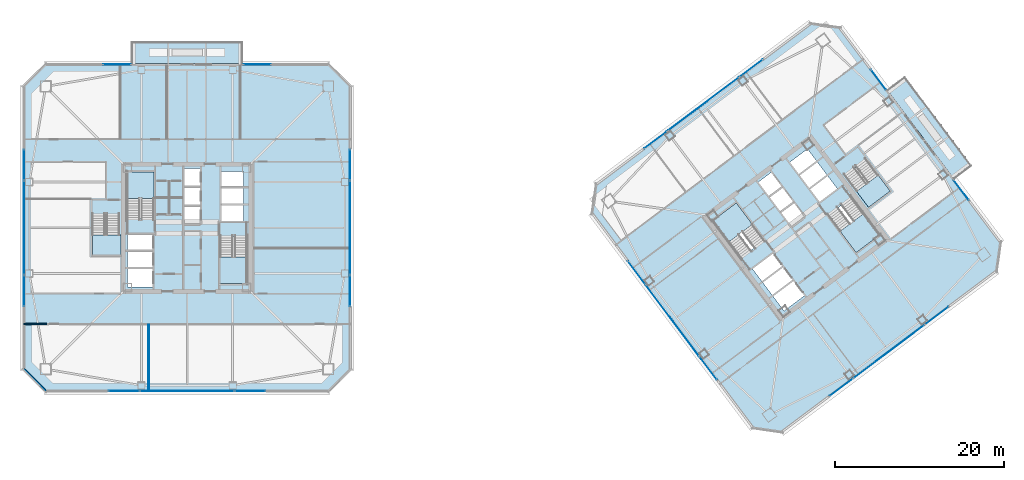
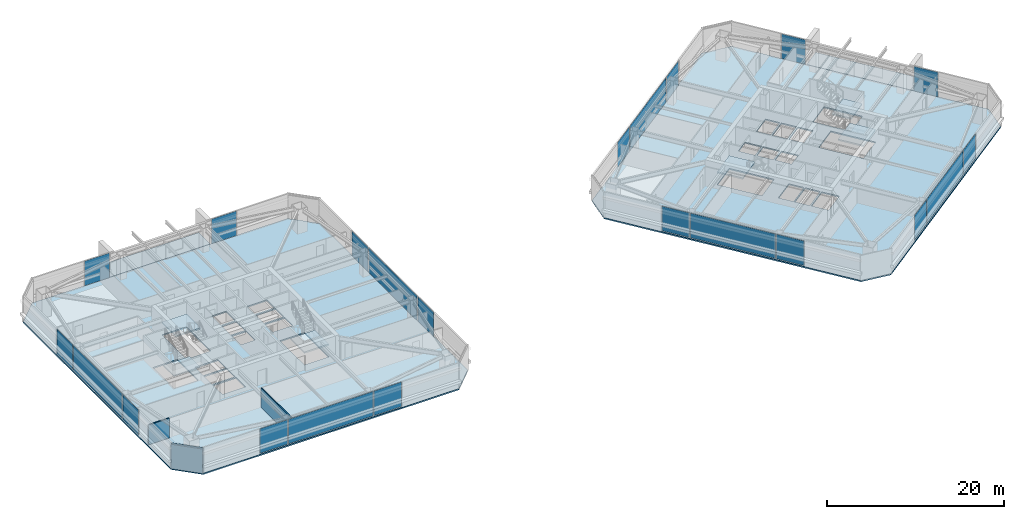
# One storey, part 29 of 41: 22 plates, 10 slabs, 3 walls, 28 elements without a shape of their own.
"""IFC4 building model written with IfcOpenShell, lengths in metres."""

from ifc_helpers import new_model, si_unit, direction, frame, frame_2d, origin, origin_2d, place, context, subcontext, project, spatial, polyline, rectangle, outline, extrude, material, layer, layer_set, type_object, element, aggregate, save


model = new_model("IFC4")

# Units and contexts
model_context = context("Model", 3, precision=1e-05, world=origin(), true_north=direction((0.0, 1.0)))
body_context = subcontext(model_context, "Body", "Model", "MODEL_VIEW")
ifc_project = project(units=[si_unit("LENGTHUNIT", "METRE"), si_unit("AREAUNIT", "SQUARE_METRE"), si_unit("VOLUMEUNIT", "CUBIC_METRE"), si_unit("PLANEANGLEUNIT", "RADIAN"), si_unit("MASSUNIT", "GRAM", prefix="KILO")], contexts=[model_context])

# Site, building, storey
site_placement = place(None, origin())
site = spatial("IfcSite", under=ifc_project, at=site_placement, CompositionType="ELEMENT")
building_placement = place(site_placement, origin())
building = spatial("IfcBuilding", under=site, at=building_placement, Name="Tashvorn Skyway Center", CompositionType="ELEMENT")
storey_placement = place(building_placement, frame((0.0, 0.0, 146.35009765625)))
storey = spatial("IfcBuildingStorey", under=building, at=storey_placement, Name="L39", CompositionType="ELEMENT", Elevation=146.35009765625)

# Curtain wall, plate
ifc_material_1 = material(Name="Thermally broken bronze-anodized aluminium 6063-T6", Category="aluminium")
curtain_wall_type = type_object("IfcCurtainWallType", Name="CW-CW-Z3", PredefinedType="NOTDEFINED", material=ifc_material_1)
curtain_wall_1_placement = place(storey_placement, origin())
curtain_wall_1 = element("IfcCurtainWall", 1, at=curtain_wall_1_placement, inside=storey, type_object=curtain_wall_type, Name="Tower 1 L39 South Unitised Curtain Wall Glazing Group 1", PredefinedType="NOTDEFINED")
ifc_material_2 = material(Name="Low-E solar-control double insulating safety glass", Category="glass")
ifc_layer_1 = layer(ifc_material_2, 0.0400390625)
ifc_layer_set_1 = layer_set([ifc_layer_1], Name="Low-E solar-control double insulating safety glass")
plate_type = type_object("IfcPlateType", Name="CWP-CW-Z3", PredefinedType="CURTAIN_PANEL", material=ifc_layer_set_1)
plate_1_placement = place(storey_placement, frame((49.457763671875, 12.719970703125, 0.074951171875), z_axis=(0.0, 0.0, 1.0), x_axis=(-1.0, 0.0, 0.0)))
plate_1 = element("IfcPlate", 2, at=plate_1_placement, type_object=plate_type, Name="CW-Z3 panel 1.1", PredefinedType="CURTAIN_PANEL", context=body_context, shape_type="SweptSolid", body=[
    extrude(rectangle(XDim=3.578857421875, YDim=0.0400390625, at=origin_2d()), origin(), (0.0, 0.0, 1.0), 3.39990234375),
])
aggregate(curtain_wall_1, [plate_1])

curtain_wall_2_placement = place(storey_placement, origin())
curtain_wall_2 = element("IfcCurtainWall", 3, at=curtain_wall_2_placement, inside=storey, type_object=curtain_wall_type, Name="Tower 1 L39 South Unitised Curtain Wall Glazing Group 2", PredefinedType="NOTDEFINED")
plate_2_placement = place(storey_placement, frame((42.0, 12.719970703125, 0.074951171875), z_axis=(0.0, 0.0, 1.0), x_axis=(-1.0, 0.0, 0.0)))
plate_2 = element("IfcPlate", 4, at=plate_2_placement, type_object=plate_type, Name="CW-Z3 panel 1.1", PredefinedType="CURTAIN_PANEL", context=body_context, shape_type="SweptSolid", body=[
    extrude(rectangle(XDim=11.03662109375, YDim=0.0400390625, at=origin_2d()), origin(), (0.0, 0.0, 1.0), 3.39990234375),
])
aggregate(curtain_wall_2, [plate_2])

curtain_wall_3_placement = place(storey_placement, origin())
curtain_wall_3 = element("IfcCurtainWall", 5, at=curtain_wall_3_placement, inside=storey, type_object=curtain_wall_type, Name="Tower 1 L39 South Unitised Curtain Wall Glazing Group 3", PredefinedType="NOTDEFINED")
plate_3_placement = place(storey_placement, frame((34.542236328125, 12.719970703125, 0.074951171875), z_axis=(0.0, 0.0, 1.0), x_axis=(-1.0, 0.0, 0.0)))
plate_3 = element("IfcPlate", 6, at=plate_3_placement, type_object=plate_type, Name="CW-Z3 panel 1.1", PredefinedType="CURTAIN_PANEL", context=body_context, shape_type="SweptSolid", body=[
    extrude(rectangle(XDim=3.578857421875, YDim=0.0400390625, at=origin_2d()), origin(), (0.0, 0.0, 1.0), 3.39990234375),
])
aggregate(curtain_wall_3, [plate_3])

curtain_wall_4_placement = place(storey_placement, origin())
curtain_wall_4 = element("IfcCurtainWall", 7, at=curtain_wall_4_placement, inside=storey, type_object=curtain_wall_type, Name="Tower 1 L39 West Unitised Curtain Wall Glazing Group 1", PredefinedType="NOTDEFINED")
plate_4_placement = place(storey_placement, frame((22.719970703125, 24.542236328125, 0.074951171875), z_axis=(0.0, 0.0, 1.0), x_axis=(0.0, 1.0, 0.0)))
plate_4 = element("IfcPlate", 8, at=plate_4_placement, type_object=plate_type, Name="CW-Z3 panel 1.1", PredefinedType="CURTAIN_PANEL", context=body_context, shape_type="SweptSolid", body=[
    extrude(rectangle(XDim=3.578857421875, YDim=0.0400390625, at=origin_2d()), origin(), (0.0, 0.0, 1.0), 3.39990234375),
])
aggregate(curtain_wall_4, [plate_4])

curtain_wall_5_placement = place(storey_placement, origin())
curtain_wall_5 = element("IfcCurtainWall", 9, at=curtain_wall_5_placement, inside=storey, type_object=curtain_wall_type, Name="Tower 1 L39 West Unitised Curtain Wall Glazing Group 2", PredefinedType="NOTDEFINED")
plate_5_placement = place(storey_placement, frame((22.719970703125, 32.0, 0.074951171875), z_axis=(0.0, 0.0, 1.0), x_axis=(0.0, 1.0, 0.0)))
plate_5 = element("IfcPlate", 10, at=plate_5_placement, type_object=plate_type, Name="CW-Z3 panel 1.1", PredefinedType="CURTAIN_PANEL", context=body_context, shape_type="SweptSolid", body=[
    extrude(rectangle(XDim=11.03662109375, YDim=0.0400390625, at=origin_2d()), origin(), (0.0, 0.0, 1.0), 3.39990234375),
])
aggregate(curtain_wall_5, [plate_5])

curtain_wall_6_placement = place(storey_placement, origin())
curtain_wall_6 = element("IfcCurtainWall", 11, at=curtain_wall_6_placement, inside=storey, type_object=curtain_wall_type, Name="Tower 1 L39 West Unitised Curtain Wall Glazing Group 3", PredefinedType="NOTDEFINED")
plate_6_placement = place(storey_placement, frame((22.719970703125, 39.457763671875, 0.074951171875), z_axis=(0.0, 0.0, 1.0), x_axis=(0.0, 1.0, 0.0)))
plate_6 = element("IfcPlate", 12, at=plate_6_placement, type_object=plate_type, Name="CW-Z3 panel 1.1", PredefinedType="CURTAIN_PANEL", context=body_context, shape_type="SweptSolid", body=[
    extrude(rectangle(XDim=3.578857421875, YDim=0.0400390625, at=origin_2d()), origin(), (0.0, 0.0, 1.0), 3.39990234375),
])
aggregate(curtain_wall_6, [plate_6])

curtain_wall_7_placement = place(storey_placement, origin())
curtain_wall_7 = element("IfcCurtainWall", 13, at=curtain_wall_7_placement, inside=storey, type_object=curtain_wall_type, Name="Tower 1 L39 North Curtain Wall L Glazing Group 1", PredefinedType="NOTDEFINED")
plate_7_placement = place(storey_placement, frame((33.703369140625, 51.280029296875, 0.074951171875), z_axis=(0.0, 0.0, 1.0), x_axis=(1.0, 0.0, 0.0)))
plate_7 = element("IfcPlate", 14, at=plate_7_placement, type_object=plate_type, Name="CW-Z3 panel 1.1", PredefinedType="CURTAIN_PANEL", context=body_context, shape_type="SweptSolid", body=[
    extrude(rectangle(XDim=3.243408203125, YDim=0.0400390625, at=origin_2d()), origin(), (0.0, 0.0, 1.0), 3.39990234375),
])
aggregate(curtain_wall_7, [plate_7])

curtain_wall_8_placement = place(storey_placement, origin())
curtain_wall_8 = element("IfcCurtainWall", 15, at=curtain_wall_8_placement, inside=storey, type_object=curtain_wall_type, Name="Tower 1 L39 North Curtain Wall R Glazing Group 1", PredefinedType="NOTDEFINED")
plate_8_placement = place(storey_placement, frame((50.296630859375, 51.280029296875, 0.074951171875), z_axis=(0.0, 0.0, 1.0), x_axis=(1.0, 0.0, 0.0)))
plate_8 = element("IfcPlate", 16, at=plate_8_placement, type_object=plate_type, Name="CW-Z3 panel 1.1", PredefinedType="CURTAIN_PANEL", context=body_context, shape_type="SweptSolid", body=[
    extrude(rectangle(XDim=3.243408203125, YDim=0.0400390625, at=origin_2d()), origin(), (0.0, 0.0, 1.0), 3.39990234375),
])
aggregate(curtain_wall_8, [plate_8])

curtain_wall_9_placement = place(storey_placement, origin())
curtain_wall_9 = element("IfcCurtainWall", 17, at=curtain_wall_9_placement, inside=storey, type_object=curtain_wall_type, Name="Tower 1 L39 East Unitised Curtain Wall Glazing Group 1", PredefinedType="NOTDEFINED")
plate_9_placement = place(storey_placement, frame((61.280029296875, 39.457763671875, 0.074951171875), z_axis=(0.0, 0.0, 1.0), x_axis=(0.0, -1.0, 0.0)))
plate_9 = element("IfcPlate", 18, at=plate_9_placement, type_object=plate_type, Name="CW-Z3 panel 1.1", PredefinedType="CURTAIN_PANEL", context=body_context, shape_type="SweptSolid", body=[
    extrude(rectangle(XDim=3.578857421875, YDim=0.0400390625, at=origin_2d()), origin(), (0.0, 0.0, 1.0), 3.39990234375),
])
aggregate(curtain_wall_9, [plate_9])

curtain_wall_10_placement = place(storey_placement, origin())
curtain_wall_10 = element("IfcCurtainWall", 19, at=curtain_wall_10_placement, inside=storey, type_object=curtain_wall_type, Name="Tower 1 L39 East Unitised Curtain Wall Glazing Group 2", PredefinedType="NOTDEFINED")
plate_10_placement = place(storey_placement, frame((61.280029296875, 32.0, 0.074951171875), z_axis=(0.0, 0.0, 1.0), x_axis=(0.0, -1.0, 0.0)))
plate_10 = element("IfcPlate", 20, at=plate_10_placement, type_object=plate_type, Name="CW-Z3 panel 1.1", PredefinedType="CURTAIN_PANEL", context=body_context, shape_type="SweptSolid", body=[
    extrude(rectangle(XDim=11.03662109375, YDim=0.0400390625, at=origin_2d()), origin(), (0.0, 0.0, 1.0), 3.39990234375),
])
aggregate(curtain_wall_10, [plate_10])

curtain_wall_11_placement = place(storey_placement, origin())
curtain_wall_11 = element("IfcCurtainWall", 21, at=curtain_wall_11_placement, inside=storey, type_object=curtain_wall_type, Name="Tower 1 L39 East Unitised Curtain Wall Glazing Group 3", PredefinedType="NOTDEFINED")
plate_11_placement = place(storey_placement, frame((61.280029296875, 24.542236328125, 0.074951171875), z_axis=(0.0, 0.0, 1.0), x_axis=(0.0, -1.0, 0.0)))
plate_11 = element("IfcPlate", 22, at=plate_11_placement, type_object=plate_type, Name="CW-Z3 panel 1.1", PredefinedType="CURTAIN_PANEL", context=body_context, shape_type="SweptSolid", body=[
    extrude(rectangle(XDim=3.578857421875, YDim=0.0400390625, at=origin_2d()), origin(), (0.0, 0.0, 1.0), 3.39990234375),
])
aggregate(curtain_wall_11, [plate_11])

curtain_wall_12_placement = place(storey_placement, origin())
curtain_wall_12 = element("IfcCurtainWall", 23, at=curtain_wall_12_placement, inside=storey, type_object=curtain_wall_type, Name="Tower 2 L39 South Unitised Curtain Wall Glazing Group 1", PredefinedType="NOTDEFINED")
plate_12_placement = place(storey_placement, frame((130.6142578125, 21.610595703125, 0.074951171875), z_axis=(0.0, 0.0, 1.0), x_axis=(-0.800003400519, -0.599995465948, 0.0)))
plate_12 = element("IfcPlate", 24, at=plate_12_placement, type_object=plate_type, Name="CW-Z3 panel 1.1", PredefinedType="CURTAIN_PANEL", context=body_context, shape_type="SweptSolid", body=[
    extrude(rectangle(XDim=3.37890625, YDim=0.0400390625, at=origin_2d()), origin(), (0.0, 0.0, 1.0), 3.39990234375),
])
aggregate(curtain_wall_12, [plate_12])

curtain_wall_13_placement = place(storey_placement, origin())
curtain_wall_13 = element("IfcCurtainWall", 25, at=curtain_wall_13_placement, inside=storey, type_object=curtain_wall_type, Name="Tower 2 L39 South Unitised Curtain Wall Glazing Group 2", PredefinedType="NOTDEFINED")
plate_13_placement = place(storey_placement, frame((124.968017578125, 17.3759765625, 0.074951171875), z_axis=(0.0, 0.0, 1.0), x_axis=(-0.800002266987, -0.599996977339, 0.0)))
plate_13 = element("IfcPlate", 26, at=plate_13_placement, type_object=plate_type, Name="CW-Z3 panel 1.1", PredefinedType="CURTAIN_PANEL", context=body_context, shape_type="SweptSolid", body=[
    extrude(rectangle(XDim=10.436767578125, YDim=0.0400390625, at=origin_2d()), origin(), (0.0, 0.0, 1.0), 3.39990234375),
])
aggregate(curtain_wall_13, [plate_13])

curtain_wall_14_placement = place(storey_placement, origin())
curtain_wall_14 = element("IfcCurtainWall", 27, at=curtain_wall_14_placement, inside=storey, type_object=curtain_wall_type, Name="Tower 2 L39 South Unitised Curtain Wall Glazing Group 3", PredefinedType="NOTDEFINED")
plate_14_placement = place(storey_placement, frame((119.32177734375, 13.141357421875, 0.074951171875), z_axis=(0.0, 0.0, 1.0), x_axis=(-0.800003400519, -0.599995465948, 0.0)))
plate_14 = element("IfcPlate", 28, at=plate_14_placement, type_object=plate_type, Name="CW-Z3 panel 1.1", PredefinedType="CURTAIN_PANEL", context=body_context, shape_type="SweptSolid", body=[
    extrude(rectangle(XDim=3.37890625, YDim=0.0400390625, at=origin_2d()), origin(), (0.0, 0.0, 1.0), 3.39990234375),
])
aggregate(curtain_wall_14, [plate_14])

curtain_wall_15_placement = place(storey_placement, origin())
curtain_wall_15 = element("IfcCurtainWall", 29, at=curtain_wall_15_placement, inside=storey, type_object=curtain_wall_type, Name="Tower 2 L39 West Unitised Curtain Wall Glazing Group 1", PredefinedType="NOTDEFINED")
plate_15_placement = place(storey_placement, frame((103.610595703125, 15.3857421875, 0.074951171875), z_axis=(0.0, 0.0, 1.0), x_axis=(-0.599995465948, 0.800003400519, 0.0)))
plate_15 = element("IfcPlate", 30, at=plate_15_placement, type_object=plate_type, Name="CW-Z3 panel 1.1", PredefinedType="CURTAIN_PANEL", context=body_context, shape_type="SweptSolid", body=[
    extrude(rectangle(XDim=3.37890625, YDim=0.0400390625, at=origin_2d()), origin(), (0.0, 0.0, 1.0), 3.39990234375),
])
aggregate(curtain_wall_15, [plate_15])

curtain_wall_16_placement = place(storey_placement, origin())
curtain_wall_16 = element("IfcCurtainWall", 31, at=curtain_wall_16_placement, inside=storey, type_object=curtain_wall_type, Name="Tower 2 L39 West Unitised Curtain Wall Glazing Group 2", PredefinedType="NOTDEFINED")
plate_16_placement = place(storey_placement, frame((99.3759765625, 21.031982421875, 0.074951171875), z_axis=(0.0, 0.0, 1.0), x_axis=(-0.599996977339, 0.800002266987, 0.0)))
plate_16 = element("IfcPlate", 32, at=plate_16_placement, type_object=plate_type, Name="CW-Z3 panel 1.1", PredefinedType="CURTAIN_PANEL", context=body_context, shape_type="SweptSolid", body=[
    extrude(rectangle(XDim=10.436767578125, YDim=0.0400390625, at=origin_2d()), origin(), (0.0, 0.0, 1.0), 3.39990234375),
])
aggregate(curtain_wall_16, [plate_16])

curtain_wall_17_placement = place(storey_placement, origin())
curtain_wall_17 = element("IfcCurtainWall", 33, at=curtain_wall_17_placement, inside=storey, type_object=curtain_wall_type, Name="Tower 2 L39 West Unitised Curtain Wall Glazing Group 3", PredefinedType="NOTDEFINED")
plate_17_placement = place(storey_placement, frame((95.141357421875, 26.67822265625, 0.074951171875), z_axis=(0.0, 0.0, 1.0), x_axis=(-0.599995465948, 0.800003400519, 0.0)))
plate_17 = element("IfcPlate", 34, at=plate_17_placement, type_object=plate_type, Name="CW-Z3 panel 1.1", PredefinedType="CURTAIN_PANEL", context=body_context, shape_type="SweptSolid", body=[
    extrude(rectangle(XDim=3.37890625, YDim=0.0400390625, at=origin_2d()), origin(), (0.0, 0.0, 1.0), 3.39990234375),
])
aggregate(curtain_wall_17, [plate_17])

curtain_wall_18_placement = place(storey_placement, origin())
curtain_wall_18 = element("IfcCurtainWall", 35, at=curtain_wall_18_placement, inside=storey, type_object=curtain_wall_type, Name="Tower 2 L39 North Unitised Curtain Wall Glazing Group 1", PredefinedType="NOTDEFINED")
plate_18_placement = place(storey_placement, frame((97.3857421875, 42.389404296875, 0.074951171875), z_axis=(0.0, 0.0, 1.0), x_axis=(0.800003400519, 0.599995465948, 0.0)))
plate_18 = element("IfcPlate", 36, at=plate_18_placement, type_object=plate_type, Name="CW-Z3 panel 1.1", PredefinedType="CURTAIN_PANEL", context=body_context, shape_type="SweptSolid", body=[
    extrude(rectangle(XDim=3.37890625, YDim=0.0400390625, at=origin_2d()), origin(), (0.0, 0.0, 1.0), 3.39990234375),
])
aggregate(curtain_wall_18, [plate_18])

curtain_wall_19_placement = place(storey_placement, origin())
curtain_wall_19 = element("IfcCurtainWall", 37, at=curtain_wall_19_placement, inside=storey, type_object=curtain_wall_type, Name="Tower 2 L39 North Unitised Curtain Wall Glazing Group 2", PredefinedType="NOTDEFINED")
plate_19_placement = place(storey_placement, frame((103.031982421875, 46.6240234375, 0.074951171875), z_axis=(0.0, 0.0, 1.0), x_axis=(0.800002266987, 0.599996977339, 0.0)))
plate_19 = element("IfcPlate", 38, at=plate_19_placement, type_object=plate_type, Name="CW-Z3 panel 1.1", PredefinedType="CURTAIN_PANEL", context=body_context, shape_type="SweptSolid", body=[
    extrude(rectangle(XDim=10.436767578125, YDim=0.0400390625, at=origin_2d()), origin(), (0.0, 0.0, 1.0), 3.39990234375),
])
aggregate(curtain_wall_19, [plate_19])

curtain_wall_20_placement = place(storey_placement, origin())
curtain_wall_20 = element("IfcCurtainWall", 39, at=curtain_wall_20_placement, inside=storey, type_object=curtain_wall_type, Name="Tower 2 L39 North Unitised Curtain Wall Glazing Group 3", PredefinedType="NOTDEFINED")
plate_20_placement = place(storey_placement, frame((108.67822265625, 50.858642578125, 0.074951171875), z_axis=(0.0, 0.0, 1.0), x_axis=(0.800003400519, 0.599995465948, 0.0)))
plate_20 = element("IfcPlate", 40, at=plate_20_placement, type_object=plate_type, Name="CW-Z3 panel 1.1", PredefinedType="CURTAIN_PANEL", context=body_context, shape_type="SweptSolid", body=[
    extrude(rectangle(XDim=3.37890625, YDim=0.0400390625, at=origin_2d()), origin(), (0.0, 0.0, 1.0), 3.39990234375),
])
aggregate(curtain_wall_20, [plate_20])

curtain_wall_21_placement = place(storey_placement, origin())
curtain_wall_21 = element("IfcCurtainWall", 41, at=curtain_wall_21_placement, inside=storey, type_object=curtain_wall_type, Name="Tower 2 L39 East Curtain Wall L Glazing Group 1", PredefinedType="NOTDEFINED")
plate_21_placement = place(storey_placement, frame((123.736083984375, 49.4853515625, 0.074951171875), z_axis=(0.0, 0.0, 1.0), x_axis=(0.599994827616, -0.800003879262, 0.0)))
plate_21 = element("IfcPlate", 42, at=plate_21_placement, type_object=plate_type, Name="CW-Z3 panel 1.1", PredefinedType="CURTAIN_PANEL", context=body_context, shape_type="SweptSolid", body=[
    extrude(rectangle(XDim=2.943359375, YDim=0.0400390625, at=origin_2d()), origin(), (0.0, 0.0, 1.0), 3.39990234375),
])
aggregate(curtain_wall_21, [plate_21])

curtain_wall_22_placement = place(storey_placement, origin())
curtain_wall_22 = element("IfcCurtainWall", 43, at=curtain_wall_22_placement, inside=storey, type_object=curtain_wall_type, Name="Tower 2 L39 East Curtain Wall R Glazing Group 1", PredefinedType="NOTDEFINED")
plate_22_placement = place(storey_placement, frame((133.511962890625, 36.45068359375, 0.074951171875), z_axis=(0.0, 0.0, 1.0), x_axis=(0.599994827616, -0.800003879262, 0.0)))
plate_22 = element("IfcPlate", 44, at=plate_22_placement, type_object=plate_type, Name="CW-Z3 panel 1.1", PredefinedType="CURTAIN_PANEL", context=body_context, shape_type="SweptSolid", body=[
    extrude(rectangle(XDim=2.943359375, YDim=0.0400390625, at=origin_2d()), origin(), (0.0, 0.0, 1.0), 3.39990234375),
])
aggregate(curtain_wall_22, [plate_22])

# Slabs
ifc_material_3 = material(Name="Concrete C40/50", Category="concrete")
ifc_layer_2 = layer(ifc_material_3, 0.179931640625)
ifc_layer_set_2 = layer_set([ifc_layer_2], Name="Concrete C40/50")
slab_type_1 = type_object("IfcSlabType", Name="SLAB-FLR-180", PredefinedType="FLOOR", material=ifc_layer_set_2)
slab_1_placement = place(storey_placement, frame((0.0, 0.0, -0.18017578125)))
element("IfcSlab", 45, at=slab_1_placement, inside=storey, type_object=slab_type_1, Name="Tower 1 L39 Composite Floor Slab", PredefinedType="FLOOR", context=body_context, shape_type="SweptSolid", body=[
    extrude(outline(polyline([(25.300048828125, 12.60009765625), (58.699951171875, 12.60009765625), (61.39990234375, 15.300048828125), (61.39990234375, 48.699951171875), (58.699951171875, 51.39990234375), (25.300048828125, 51.39990234375), (22.60009765625, 48.699951171875), (22.60009765625, 15.300048828125), (25.300048828125, 12.60009765625)]), holes=[polyline([(38.10009765625, 33.080078125), (38.10009765625, 38.60009765625), (34.89990234375, 38.60009765625), (34.89990234375, 33.080078125), (38.10009765625, 33.080078125)]), polyline([(45.89990234375, 30.919921875), (45.89990234375, 25.39990234375), (49.10009765625, 25.39990234375), (49.10009765625, 30.919921875), (45.89990234375, 30.919921875)]), polyline([(30.800048828125, 33.52001953125), (30.800048828125, 28.800048828125), (34.0, 28.800048828125), (34.0, 33.52001953125), (30.800048828125, 33.52001953125)]), polyline([(34.949951171875, 29.35009765625), (37.949951171875, 29.35009765625), (37.949951171875, 31.199951171875), (34.949951171875, 31.199951171875), (34.949951171875, 29.35009765625)]), polyline([(34.949951171875, 27.35009765625), (37.949951171875, 27.35009765625), (37.949951171875, 29.199951171875), (34.949951171875, 29.199951171875), (34.949951171875, 27.35009765625)]), polyline([(34.949951171875, 25.0), (37.949951171875, 25.0), (37.949951171875, 27.14990234375), (34.949951171875, 27.14990234375), (34.949951171875, 25.0)]), polyline([(41.64990234375, 32.449951171875), (43.550048828125, 32.449951171875), (43.550048828125, 34.5), (41.64990234375, 34.5), (41.64990234375, 32.449951171875)]), polyline([(41.64990234375, 34.699951171875), (43.550048828125, 34.699951171875), (43.550048828125, 36.75), (41.64990234375, 36.75), (41.64990234375, 34.699951171875)]), polyline([(41.64990234375, 36.949951171875), (43.550048828125, 36.949951171875), (43.550048828125, 39.0), (41.64990234375, 39.0), (41.64990234375, 36.949951171875)]), polyline([(46.050048828125, 32.800048828125), (48.64990234375, 32.800048828125), (48.64990234375, 34.64990234375), (46.050048828125, 34.64990234375), (46.050048828125, 32.800048828125)]), polyline([(46.050048828125, 34.85009765625), (48.64990234375, 34.85009765625), (48.64990234375, 36.699951171875), (46.050048828125, 36.699951171875), (46.050048828125, 34.85009765625)]), polyline([(46.050048828125, 36.89990234375), (48.64990234375, 36.89990234375), (48.64990234375, 38.64990234375), (46.050048828125, 38.64990234375), (46.050048828125, 36.89990234375)])]), origin(), (0.0, 0.0, 1.0), 0.18017578125),
])
slab_2_placement = place(storey_placement, frame((0.0, 0.0, -0.18017578125)))
element("IfcSlab", 46, at=slab_2_placement, inside=storey, type_object=slab_type_1, Name="Tower 2 L39 Composite Floor Slab", PredefinedType="FLOOR", context=body_context, shape_type="SweptSolid", body=[
    extrude(outline(polyline([(112.39990234375, 7.800048828125), (137.679931640625, 26.760009765625), (138.199951171875, 30.39990234375), (119.239990234375, 55.679931640625), (115.60009765625, 56.199951171875), (90.320068359375, 37.239990234375), (89.800048828125, 33.60009765625), (108.760009765625, 8.320068359375), (112.39990234375, 7.800048828125)]), holes=[polyline([(110.23193359375, 30.52392578125), (106.919921875, 34.93994140625), (104.135986328125, 32.85205078125), (107.447998046875, 28.43603515625), (110.23193359375, 30.52392578125)]), polyline([(117.76806640625, 33.47607421875), (121.080078125, 29.06005859375), (123.864013671875, 31.14794921875), (120.552001953125, 35.56396484375), (117.76806640625, 33.47607421875)]), polyline([(119.7119140625, 38.18408203125), (122.5439453125, 34.407958984375), (125.10400390625, 36.327880859375), (122.27197265625, 40.10400390625), (119.7119140625, 38.18408203125)]), polyline([(109.949951171875, 25.64990234375), (112.35009765625, 27.449951171875), (111.239990234375, 28.929931640625), (108.840087890625, 27.1298828125), (109.949951171875, 25.64990234375)]), polyline([(111.14990234375, 24.050048828125), (113.550048828125, 25.85009765625), (112.43994140625, 27.330078125), (110.0400390625, 25.530029296875), (111.14990234375, 24.050048828125)]), polyline([(112.56005859375, 22.169921875), (114.9599609375, 23.969970703125), (113.669921875, 25.68994140625), (111.27001953125, 23.889892578125), (112.56005859375, 22.169921875)]), polyline([(113.449951171875, 32.14990234375), (114.969970703125, 33.2900390625), (113.739990234375, 34.929931640625), (112.219970703125, 33.7900390625), (113.449951171875, 32.14990234375)]), polyline([(112.10009765625, 33.949951171875), (113.6201171875, 35.090087890625), (112.389892578125, 36.72998046875), (110.8701171875, 35.590087890625), (112.10009765625, 33.949951171875)]), polyline([(110.75, 35.75), (112.27001953125, 36.889892578125), (111.0400390625, 38.530029296875), (109.52001953125, 37.389892578125), (110.75, 35.75)]), polyline([(116.760009765625, 35.070068359375), (118.840087890625, 36.6298828125), (117.72998046875, 38.110107421875), (115.64990234375, 36.550048828125), (116.760009765625, 35.070068359375)]), polyline([(115.530029296875, 36.7099609375), (117.610107421875, 38.27001953125), (116.5, 39.75), (114.419921875, 38.18994140625), (115.530029296875, 36.7099609375)]), polyline([(114.300048828125, 38.35009765625), (116.3798828125, 39.909912109375), (115.330078125, 41.31005859375), (113.25, 39.75), (114.300048828125, 38.35009765625)])]), origin(), (0.0, 0.0, 1.0), 0.18017578125),
])

# Stair, slab
stair_type = type_object("IfcStairType", Name="STAIR-CORE-1500", PredefinedType="HALF_TURN_STAIR", material=ifc_material_3)
stair_1_placement = place(storey_placement, origin())
stair_1 = element("IfcStair", 47, at=stair_1_placement, inside=storey, type_object=stair_type, Name="L39 Tower 1 Exit Stair 1", PredefinedType="HALF_TURN_STAIR")
ifc_layer_3 = layer(ifc_material_3, 0.199951171875)
ifc_layer_set_3 = layer_set([ifc_layer_3], Name="Concrete C40/50")
slab_type_2 = type_object("IfcSlabType", Name="SLAB-LAND-200", PredefinedType="LANDING", material=ifc_layer_set_3)
slab_3_placement = place(storey_placement, frame((0.0, 0.0, 1.574951171875)))
slab_3 = element("IfcSlab", 48, at=slab_3_placement, type_object=slab_type_2, Name="ST-T1-1 landing 1", PredefinedType="LANDING", context=body_context, shape_type="SweptSolid", body=[
    extrude(outline(polyline([(38.10009765625, 35.43994140625), (38.10009765625, 38.60009765625), (34.89990234375, 38.60009765625), (34.89990234375, 35.43994140625), (38.10009765625, 35.43994140625)])), origin(), (0.0, 0.0, 1.0), 0.199951171875),
])
aggregate(stair_1, [slab_3])

stair_2_placement = place(storey_placement, origin())
stair_2 = element("IfcStair", 49, at=stair_2_placement, inside=storey, type_object=stair_type, Name="L39 Tower 1 Exit Stair 2", PredefinedType="HALF_TURN_STAIR")
slab_4_placement = place(storey_placement, frame((0.0, 0.0, 1.574951171875)))
slab_4 = element("IfcSlab", 50, at=slab_4_placement, type_object=slab_type_2, Name="ST-T1-2 landing 1", PredefinedType="LANDING", context=body_context, shape_type="SweptSolid", body=[
    extrude(outline(polyline([(45.89990234375, 28.56005859375), (45.89990234375, 25.39990234375), (49.10009765625, 25.39990234375), (49.10009765625, 28.56005859375), (45.89990234375, 28.56005859375)])), origin(), (0.0, 0.0, 1.0), 0.199951171875),
])
aggregate(stair_2, [slab_4])

stair_3_placement = place(storey_placement, origin())
stair_3 = element("IfcStair", 51, at=stair_3_placement, inside=storey, type_object=stair_type, Name="L39 Tower 2 Exit Stair 1", PredefinedType="HALF_TURN_STAIR")
slab_5_placement = place(storey_placement, frame((0.0, 0.0, 1.574951171875)))
slab_5 = element("IfcSlab", 52, at=slab_5_placement, type_object=slab_type_2, Name="ST-T2-1 landing 1", PredefinedType="LANDING", context=body_context, shape_type="SweptSolid", body=[
    extrude(outline(polyline([(108.82080078125, 32.405517578125), (106.919921875, 34.93994140625), (104.135986328125, 32.85205078125), (106.036865234375, 30.317626953125), (108.82080078125, 32.405517578125)])), origin(), (0.0, 0.0, 1.0), 0.199951171875),
])
aggregate(stair_3, [slab_5])

stair_4_placement = place(storey_placement, origin())
stair_4 = element("IfcStair", 53, at=stair_4_placement, inside=storey, type_object=stair_type, Name="L39 Tower 2 Exit Stair 2", PredefinedType="HALF_TURN_STAIR")
slab_6_placement = place(storey_placement, frame((0.0, 0.0, 1.574951171875)))
slab_6 = element("IfcSlab", 54, at=slab_6_placement, type_object=slab_type_2, Name="ST-T2-2 landing 1", PredefinedType="LANDING", context=body_context, shape_type="SweptSolid", body=[
    extrude(outline(polyline([(119.17919921875, 31.594482421875), (121.080078125, 29.06005859375), (123.864013671875, 31.14794921875), (121.963134765625, 33.682373046875), (119.17919921875, 31.594482421875)])), origin(), (0.0, 0.0, 1.0), 0.199951171875),
])
aggregate(stair_4, [slab_6])

stair_5_placement = place(storey_placement, origin())
stair_5 = element("IfcStair", 55, at=stair_5_placement, inside=storey, type_object=stair_type, Name="L39 Tower 1 Exit Stair 3", PredefinedType="HALF_TURN_STAIR")
slab_7_placement = place(storey_placement, frame((0.0, 0.0, 1.574951171875)))
slab_7 = element("IfcSlab", 56, at=slab_7_placement, type_object=slab_type_2, Name="ST-T1-3 landing 1", PredefinedType="LANDING", context=body_context, shape_type="SweptSolid", body=[
    extrude(outline(polyline([(30.800048828125, 31.159912109375), (30.800048828125, 28.800048828125), (34.199951171875, 28.800048828125), (34.199951171875, 31.159912109375), (30.800048828125, 31.159912109375)])), origin(), (0.0, 0.0, 1.0), 0.199951171875),
])
aggregate(stair_5, [slab_7])

stair_6_placement = place(storey_placement, origin())
stair_6 = element("IfcStair", 57, at=stair_6_placement, inside=storey, type_object=stair_type, Name="L39 Tower 2 Exit Stair 3", PredefinedType="HALF_TURN_STAIR")
slab_8_placement = place(storey_placement, frame((0.0, 0.0, 1.574951171875)))
slab_8 = element("IfcSlab", 58, at=slab_8_placement, type_object=slab_type_2, Name="ST-T2-3 landing 1", PredefinedType="LANDING", context=body_context, shape_type="SweptSolid", body=[
    extrude(outline(polyline([(121.123291015625, 36.302490234375), (122.5439453125, 34.407958984375), (125.10400390625, 36.327880859375), (123.68310546875, 38.222412109375), (121.123291015625, 36.302490234375)])), origin(), (0.0, 0.0, 1.0), 0.199951171875),
])
aggregate(stair_6, [slab_8])

# Slabs
ifc_layer_4 = layer(ifc_material_3, 0.179931640625)
ifc_layer_set_4 = layer_set([ifc_layer_4], Name="Concrete C40/50")
slab_type_3 = type_object("IfcSlabType", Name="SLAB-TERR-200", PredefinedType="FLOOR", material=ifc_layer_set_4)
slab_9_placement = place(storey_placement, frame((0.0, 0.0, -0.18017578125)))
element("IfcSlab", 59, at=slab_9_placement, inside=storey, type_object=slab_type_3, Name="Tower 1 L39 Sky Garden Slab", PredefinedType="FLOOR", context=body_context, shape_type="SweptSolid", body=[
    extrude(outline(polyline([(35.39990234375, 51.389892578125), (48.60009765625, 51.389892578125), (48.60009765625, 54.0), (35.39990234375, 54.0), (35.39990234375, 51.389892578125)])), origin(), (0.0, 0.0, 1.0), 0.18017578125),
])
slab_10_placement = place(storey_placement, frame((0.0, 0.0, -0.18017578125)))
element("IfcSlab", 60, at=slab_10_placement, inside=storey, type_object=slab_type_3, Name="Tower 2 L39 Sky Garden Slab", PredefinedType="FLOOR", context=body_context, shape_type="SweptSolid", body=[
    extrude(outline(polyline([(132.672119140625, 37.75390625), (134.760009765625, 39.320068359375), (126.840087890625, 49.8798828125), (124.751953125, 48.31396484375), (132.672119140625, 37.75390625)])), origin(), (0.0, 0.0, 1.0), 0.18017578125),
])

# Walls
ifc_material_4 = material(Name="Precast concrete C40/50", Category="concrete")
ifc_layer_5 = layer(ifc_material_4, 0.280029296875)
ifc_layer_set_5 = layer_set([ifc_layer_5], Name="Precast concrete C40/50")
wall_type_1 = type_object("IfcWallType", Name="WALL-EXT-280", PredefinedType="SOLIDWALL", material=ifc_layer_set_5)
wall_1_placement = place(storey_placement, frame((25.300048828125, 12.699951171875, 0.0), z_axis=(0.0, 0.0, 1.0), x_axis=(-0.707106781187, 0.707106781187, 0.0)))
element("IfcWall", 61, at=wall_1_placement, inside=storey, type_object=wall_type_1, Name="Tower 1 L39 SW Precast Chamfer Wall", PredefinedType="SOLIDWALL", context=body_context, shape_type="SweptSolid", body=[
    extrude(rectangle(XDim=3.677001953125, YDim=0.280029296875, at=frame_2d((1.83837890625, 0.0))), origin(), (0.0, 0.0, 1.0), 3.369873046875),
])
ifc_material_5 = material(Name="Gypsum board on cold-formed steel stud framing", Category="steel")
ifc_layer_6 = layer(ifc_material_5, 0.110107421875)
ifc_layer_set_6 = layer_set([ifc_layer_6], Name="Gypsum board on cold-formed steel stud framing")
wall_type_2 = type_object("IfcWallType", Name="WALL-PART-110", PredefinedType="PARTITIONING", material=ifc_layer_set_6)
wall_2_placement = place(storey_placement, frame((37.5, 12.719970703125, 0.0), z_axis=(0.0, 0.0, 1.0), x_axis=(0.0, 1.0, 0.0)))
element("IfcWall", 62, at=wall_2_placement, inside=storey, type_object=wall_type_2, Name="Tower 1 L39 South Suite Partition 1", PredefinedType="PARTITIONING", context=body_context, shape_type="SweptSolid", body=[
    extrude(rectangle(XDim=7.830078125, YDim=0.110107421875, at=frame_2d((3.9150390625, 0.0))), origin(), (0.0, 0.0, 1.0), 2.722900390625),
])
ifc_layer_7 = layer(ifc_material_5, 0.135009765625)
ifc_layer_set_7 = layer_set([ifc_layer_7], Name="Gypsum board on cold-formed steel stud framing")
wall_type_3 = type_object("IfcWallType", Name="WALL-PART-135", PredefinedType="PARTITIONING", material=ifc_layer_set_7)
wall_3_placement = place(storey_placement, frame((22.719970703125, 20.6298828125, 0.0), z_axis=(0.0, 0.0, 1.0), x_axis=(1.0, 0.0, 0.0)))
element("IfcWall", 63, at=wall_3_placement, inside=storey, type_object=wall_type_3, Name="Tower 1 L39 South-West Suite North Wall", PredefinedType="PARTITIONING", context=body_context, shape_type="SweptSolid", body=[
    extrude(rectangle(XDim=2.72998046875, YDim=0.135009765625, at=frame_2d((1.364990234375, 0.0))), origin(), (0.0, 0.0, 1.0), 2.722900390625),
])

save(model, "model.ifc")
